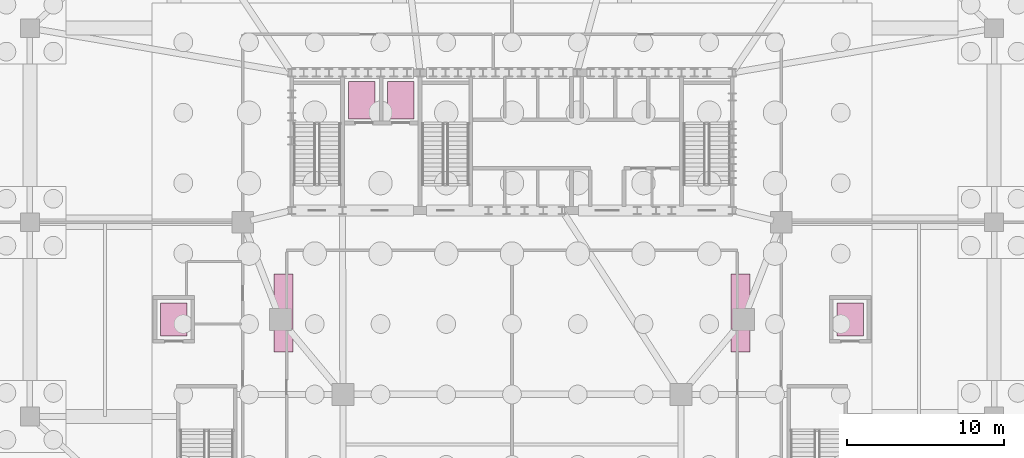
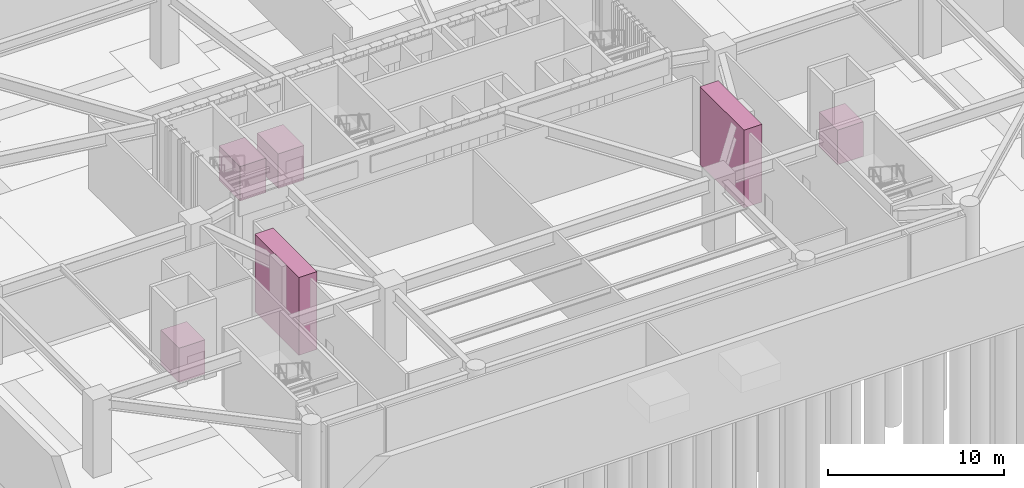
# One storey, part 11 of 11: 6 transport elements.
"""IFC4 building model written with IfcOpenShell, lengths in metres."""

from ifc_helpers import new_model, si_unit, direction, frame, origin, origin_2d, place, context, subcontext, project, spatial, rectangle, extrude, material, type_object, element, save


model = new_model("IFC4")

# Units and contexts
model_context = context("Model", 3, precision=1e-05, world=origin(), true_north=direction((0.0, 1.0)))
body_context = subcontext(model_context, "Body", "Model", "MODEL_VIEW")
ifc_project = project(units=[si_unit("LENGTHUNIT", "METRE"), si_unit("AREAUNIT", "SQUARE_METRE"), si_unit("VOLUMEUNIT", "CUBIC_METRE"), si_unit("PLANEANGLEUNIT", "RADIAN"), si_unit("MASSUNIT", "GRAM", prefix="KILO")], contexts=[model_context])

# Site, building, storey
site_placement = place(None, origin())
site = spatial("IfcSite", under=ifc_project, at=site_placement, CompositionType="ELEMENT")
building_placement = place(site_placement, origin())
building = spatial("IfcBuilding", under=site, at=building_placement, Name="Haldorwick Loom Tower", CompositionType="ELEMENT")
storey_placement = place(building_placement, frame((0.0, 0.0, -5.39990234375)))
storey = spatial("IfcBuildingStorey", under=building, at=storey_placement, Name="B01", CompositionType="ELEMENT", Elevation=-5.39990234375)

# Transport elements
ifc_material = material(Name="Steel CSA G40.21 350W", Category="steel")
transport_element_type_1 = type_object("IfcTransportElementType", Name="ARC-ESC-TRANSIT", PredefinedType="ESCALATOR", material=ifc_material)
for number, where, z_axis, x_axis, name in (
    (1, (21.39990234375, 20.199951171875, 0.0), (0.0, 0.0, 1.0), (1.0, 0.0, 0.0), "B01 Station Transit Escalator ESC-01"),
    (2, (50.60009765625, 20.199951171875, 0.0), (0.0, 0.0, 1.0), (1.0, 0.0, 0.0), "B01 Station Transit Escalator ESC-02"),
):
    element("IfcTransportElement", number, at=place(storey_placement, frame(where, z_axis=z_axis, x_axis=x_axis)), inside=storey, type_object=transport_element_type_1, Name=name, PredefinedType="ESCALATOR", context=body_context, shape_type="SweptSolid", body=[
        extrude(rectangle(XDim=1.199951171875, YDim=5.0, at=origin_2d()), origin(), (0.0, 0.0, 1.0), 5.39990234375),
    ])
transport_element_type_2 = type_object("IfcTransportElementType", Name="ARC-LFT-FF1800", PredefinedType="ELEVATOR", material=ifc_material)
for number, where, z_axis, x_axis, name in (
    (3, (26.39990234375, 33.800048828125, 0.0), (0.0, 0.0, 1.0), (1.0, 0.0, 0.0), "Firefighter Elevator LF-FF1"),
    (4, (28.89990234375, 33.800048828125, 0.0), (0.0, 0.0, 1.0), (1.0, 0.0, 0.0), "Firefighter Elevator LF-FF2"),
):
    element("IfcTransportElement", number, at=place(storey_placement, frame(where, z_axis=z_axis, x_axis=x_axis)), inside=storey, type_object=transport_element_type_2, Name=name, PredefinedType="ELEVATOR", context=body_context, shape_type="SweptSolid", body=[
        extrude(rectangle(XDim=1.699951171875, YDim=2.39990234375, at=origin_2d()), origin(), (0.0, 0.0, 1.0), 2.39990234375),
    ])
transport_element_type_3 = type_object("IfcTransportElementType", Name="ARC-LFT-POD1350", PredefinedType="ELEVATOR", material=ifc_material)
for number, where, z_axis, x_axis, name in (
    (5, (14.39990234375, 19.800048828125, 0.0), (0.0, 0.0, 1.0), (1.0, 0.0, 0.0), "Passenger Elevator LF-P1"),
    (6, (57.60009765625, 19.800048828125, 0.0), (0.0, 0.0, 1.0), (1.0, 0.0, 0.0), "Passenger Elevator LF-P2"),
):
    element("IfcTransportElement", number, at=place(storey_placement, frame(where, z_axis=z_axis, x_axis=x_axis)), inside=storey, type_object=transport_element_type_3, Name=name, PredefinedType="ELEVATOR", context=body_context, shape_type="SweptSolid", body=[
        extrude(rectangle(XDim=1.699951171875, YDim=2.10009765625, at=origin_2d()), origin(), (0.0, 0.0, 1.0), 2.39990234375),
    ])

save(model, "model.ifc")
